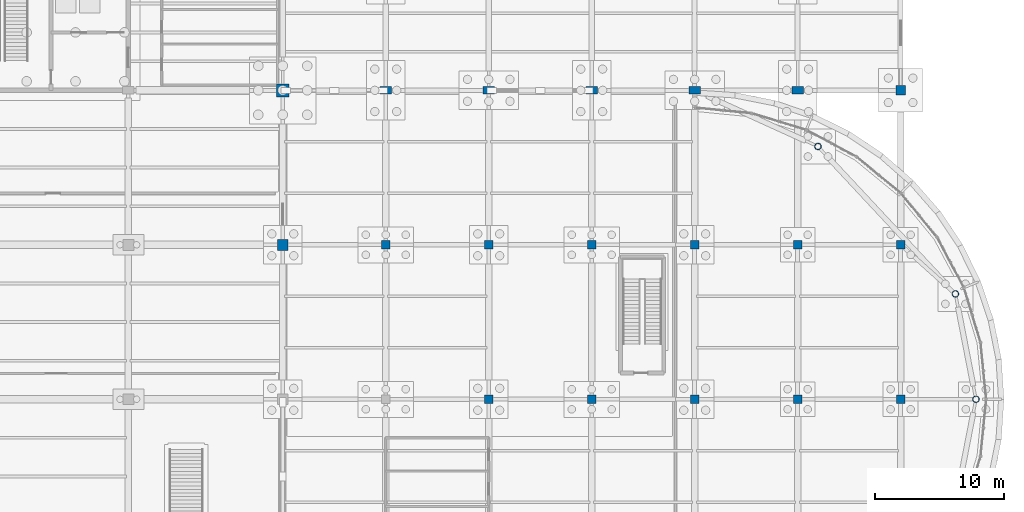
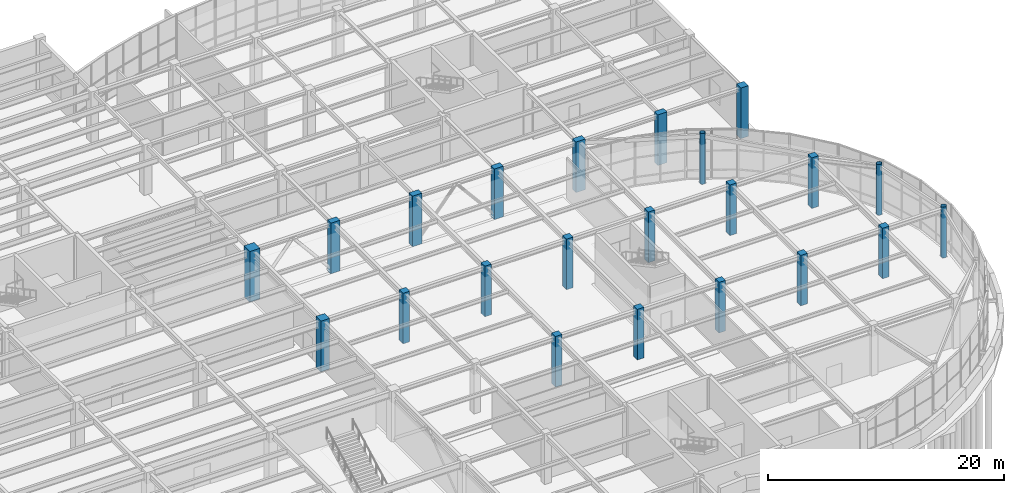
# One storey, part 22 of 85: 22 columns.
"""IFC4 building model written with IfcOpenShell, lengths in metres."""

from ifc_helpers import new_model, si_unit, direction, frame, origin, origin_2d, place, context, subcontext, project, spatial, rectangle, hollow_circle, extrude, material, material_profile, profile_set, type_object, element, save


model = new_model("IFC4")

# Units and contexts
model_context = context("Model", 3, precision=1e-05, world=origin(), true_north=direction((0.0, 1.0)))
body_context = subcontext(model_context, "Body", "Model", "MODEL_VIEW")
ifc_project = project(units=[si_unit("LENGTHUNIT", "METRE"), si_unit("AREAUNIT", "SQUARE_METRE"), si_unit("VOLUMEUNIT", "CUBIC_METRE"), si_unit("PLANEANGLEUNIT", "RADIAN"), si_unit("MASSUNIT", "GRAM", prefix="KILO")], contexts=[model_context])

# Site, building, storey
site_placement = place(None, origin())
site = spatial("IfcSite", under=ifc_project, at=site_placement, CompositionType="ELEMENT")
building_placement = place(site_placement, origin())
building = spatial("IfcBuilding", under=site, at=building_placement, Name="Keelwater Ferry Terminal", CompositionType="ELEMENT")
storey_placement = place(building_placement, origin())
storey = spatial("IfcBuildingStorey", under=building, at=storey_placement, Name="L00", CompositionType="ELEMENT", Elevation=0.0)

# Columns
ifc_material_1 = material(Name="Concrete C50/60", Category="concrete")
ifc_material_profile_1 = material_profile(ifc_material_1, rectangle(XDim=0.85009765625, YDim=0.85009765625, at=origin_2d()), Name="RC 850x850")
ifc_profile_set_1 = profile_set([ifc_material_profile_1], Name="Concrete C50/60")
column_type_1 = type_object("IfcColumnType", Name="C1 RC 850x850", PredefinedType="COLUMN", material=ifc_profile_set_1)
column_1_placement = place(storey_placement, frame((132.0, 78.0, 0.0), z_axis=(0.0, 0.0, 1.0), x_axis=(1.0, 0.0, 0.0)))
element("IfcColumn", 1, at=column_1_placement, inside=storey, type_object=column_type_1, Name="Column CL-L00-0250", PredefinedType="COLUMN", context=body_context, shape_type="SweptSolid", body=[
    extrude(rectangle(XDim=0.85009765625, YDim=0.85009765625, at=origin_2d()), origin(), (0.0, 0.0, 1.0), 5.239990234375),
])
ifc_material_2 = material(Name="Concrete C45/55", Category="concrete")
ifc_material_profile_2 = material_profile(ifc_material_2, rectangle(XDim=0.75, YDim=0.75, at=origin_2d()), Name="RC 750x750")
ifc_profile_set_2 = profile_set([ifc_material_profile_2], Name="Concrete C45/55")
column_type_2 = type_object("IfcColumnType", Name="C2E RC 750x750", PredefinedType="COLUMN", material=ifc_profile_set_2)
column_2_placement = place(storey_placement, frame((180.0, 90.0, 0.0), z_axis=(0.0, 0.0, 1.0), x_axis=(1.0, 0.0, 0.0)))
element("IfcColumn", 2, at=column_2_placement, inside=storey, type_object=column_type_2, Name="Column CL-L00-0502", PredefinedType="COLUMN", context=body_context, shape_type="SweptSolid", body=[
    extrude(rectangle(XDim=0.75, YDim=0.75, at=origin_2d()), origin(), (0.0, 0.0, 1.0), 5.239990234375),
])
ifc_material_3 = material(Name="Concrete C45/55", Category="concrete")
ifc_material_profile_3 = material_profile(ifc_material_3, rectangle(XDim=0.64990234375, YDim=0.64990234375, at=origin_2d()), Name="RC 650x650")
ifc_profile_set_3 = profile_set([ifc_material_profile_3], Name="Concrete C45/55")
column_type_3 = type_object("IfcColumnType", Name="C3 RC 650x650", PredefinedType="COLUMN", material=ifc_profile_set_3)
for number, where, z_axis, x_axis, name in (
    (3, (140.0, 78.0, 0.0), (0.0, 0.0, 1.0), (1.0, 0.0, 0.0), "Column CL-L00-0302"),
    (4, (148.0, 66.0, 0.0), (0.0, 0.0, 1.0), (1.0, 0.0, 0.0), "Column CL-L00-0345"),
    (5, (148.0, 78.0, 0.0), (0.0, 0.0, 1.0), (1.0, 0.0, 0.0), "Column CL-L00-0349"),
    (6, (156.0, 66.0, 0.0), (0.0, 0.0, 1.0), (1.0, 0.0, 0.0), "Column CL-L00-0384"),
    (7, (156.0, 78.0, 0.0), (0.0, 0.0, 1.0), (1.0, 0.0, 0.0), "Column CL-L00-0388"),
    (8, (164.0, 66.0, 0.0), (0.0, 0.0, 1.0), (1.0, 0.0, 0.0), "Column CL-L00-0423"),
    (9, (164.0, 78.0, 0.0), (0.0, 0.0, 1.0), (1.0, 0.0, 0.0), "Column CL-L00-0427"),
    (10, (172.0, 66.0, 0.0), (0.0, 0.0, 1.0), (1.0, 0.0, 0.0), "Column CL-L00-0458"),
    (11, (172.0, 78.0, 0.0), (0.0, 0.0, 1.0), (1.0, 0.0, 0.0), "Column CL-L00-0461"),
    (12, (180.0, 66.0, 0.0), (0.0, 0.0, 1.0), (1.0, 0.0, 0.0), "Column CL-L00-0496"),
    (13, (180.0, 78.0, 0.0), (0.0, 0.0, 1.0), (1.0, 0.0, 0.0), "Column CL-L00-0499"),
):
    element("IfcColumn", number, at=place(storey_placement, frame(where, z_axis=z_axis, x_axis=x_axis)), inside=storey, type_object=column_type_3, Name=name, PredefinedType="COLUMN", context=body_context, shape_type="SweptSolid", body=[
        extrude(rectangle(XDim=0.64990234375, YDim=0.64990234375, at=origin_2d()), origin(), (0.0, 0.0, 1.0), 5.239990234375),
    ])
ifc_material_4 = material(Name="Steel S355", Category="steel")
ifc_material_profile_4 = material_profile(ifc_material_4, hollow_circle(Radius=0.25390625, WallThickness=0.02001953125, at=origin_2d()), Name="CHS 508x20")
ifc_profile_set_4 = profile_set([ifc_material_profile_4], Name="Steel S355")
column_type_4 = type_object("IfcColumnType", Name="C8E CHS 508x20", PredefinedType="COLUMN", material=ifc_profile_set_4)
for number, where, z_axis, x_axis, name in (
    (14, (173.577880859375, 85.638916015625, 0.0), (0.0, 0.0, 1.0), (1.0, 0.0, 0.0), "Column CL-L00-0542"),
    (15, (184.259033203125, 74.18505859375, 0.0), (0.0, 0.0, 1.0), (1.0, 0.0, 0.0), "Column CL-L00-0545"),
    (16, (185.85009765625, 66.0, 0.0), (0.0, 0.0, 1.0), (1.0, 0.0, 0.0), "Column CL-L00-0548"),
):
    element("IfcColumn", number, at=place(storey_placement, frame(where, z_axis=z_axis, x_axis=x_axis)), inside=storey, type_object=column_type_4, Name=name, PredefinedType="COLUMN", context=body_context, shape_type="SweptSolid", body=[
        extrude(hollow_circle(Radius=0.25390625, WallThickness=0.02001953125, at=origin_2d()), origin(), (0.0, 0.0, 1.0), 5.239990234375),
    ])
ifc_material_5 = material(Name="Concrete C50/60", Category="concrete")
ifc_material_profile_5 = material_profile(ifc_material_5, rectangle(XDim=1.0, YDim=1.0, at=origin_2d()), Name="RC 1000x1000")
ifc_profile_set_5 = profile_set([ifc_material_profile_5], Name="Concrete C50/60")
column_type_5 = type_object("IfcColumnType", Name="MC1E RC 1000x1000", PredefinedType="COLUMN", material=ifc_profile_set_5)
column_3_placement = place(storey_placement, frame((132.0, 90.0, 0.0), z_axis=(0.0, 0.0, 1.0), x_axis=(1.0, 0.0, 0.0)))
element("IfcColumn", 17, at=column_3_placement, inside=storey, type_object=column_type_5, Name="Column CL-L00-0254", PredefinedType="COLUMN", context=body_context, shape_type="SweptSolid", body=[
    extrude(rectangle(XDim=1.0, YDim=1.0, at=origin_2d()), origin(), (0.0, 0.0, 1.0), 5.239990234375),
])
ifc_material_6 = material(Name="Concrete C45/55", Category="concrete")
ifc_material_profile_6 = material_profile(ifc_material_6, rectangle(XDim=0.60009765625, YDim=0.89990234375, at=origin_2d()), Name="RC 900x600")
ifc_profile_set_6 = profile_set([ifc_material_profile_6], Name="Concrete C45/55")
column_type_6 = type_object("IfcColumnType", Name="PL1E RC 900x600", PredefinedType="PILASTER", material=ifc_profile_set_6)
for number, where, z_axis, x_axis, name in (
    (18, (140.0, 90.0, 0.0), (0.0, 0.0, 1.0), (0.0, 1.0, 0.0), "Column CL-L00-0306"),
    (19, (148.0, 90.0, 0.0), (0.0, 0.0, 1.0), (0.0, 1.0, 0.0), "Column CL-L00-0353"),
    (20, (156.0, 90.0, 0.0), (0.0, 0.0, 1.0), (0.0, 1.0, 0.0), "Column CL-L00-0392"),
    (21, (164.0, 90.0, 0.0), (0.0, 0.0, 1.0), (0.0, 1.0, 0.0), "Column CL-L00-0431"),
    (22, (172.0, 90.0, 0.0), (0.0, 0.0, 1.0), (0.0, 1.0, 0.0), "Column CL-L00-0464"),
):
    element("IfcColumn", number, at=place(storey_placement, frame(where, z_axis=z_axis, x_axis=x_axis)), inside=storey, type_object=column_type_6, Name=name, PredefinedType="PILASTER", context=body_context, shape_type="SweptSolid", body=[
        extrude(rectangle(XDim=0.60009765625, YDim=0.89990234375, at=origin_2d()), origin(), (0.0, 0.0, 1.0), 5.239990234375),
    ])

save(model, "model.ifc")
